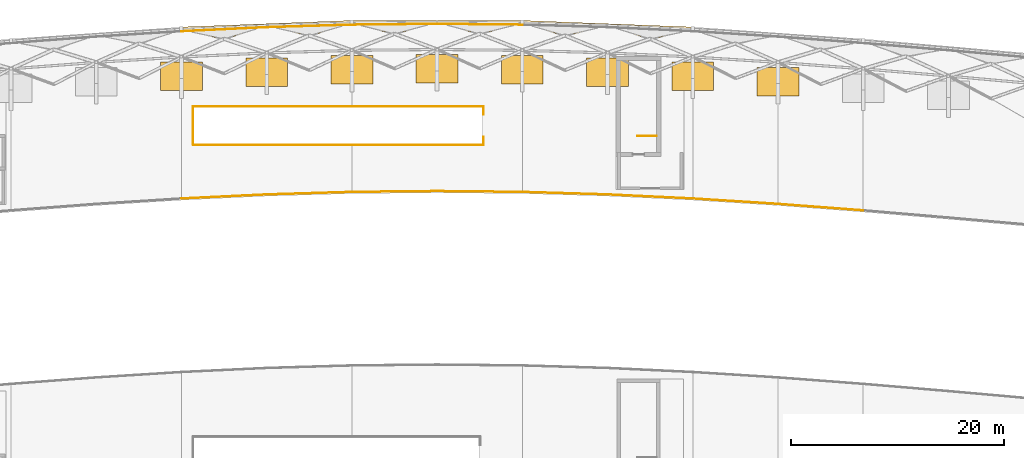
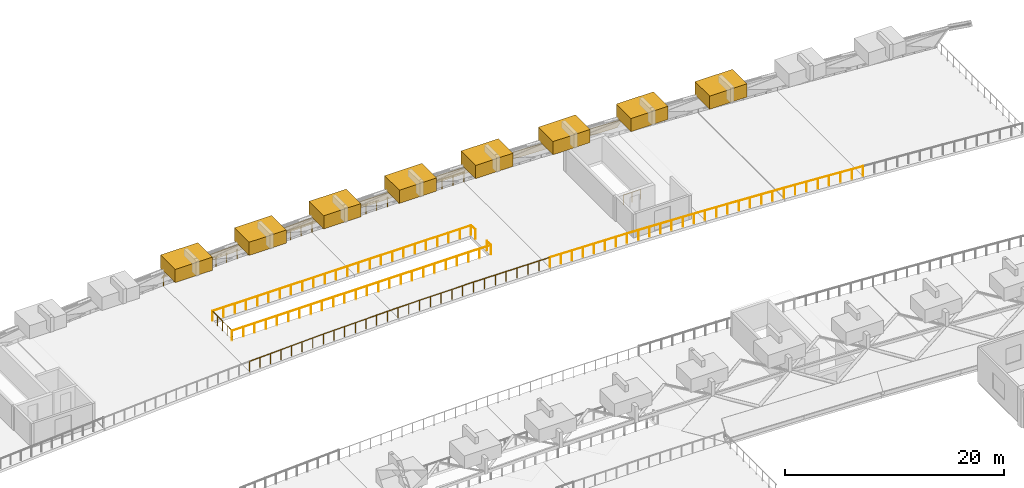
# One storey, part 63 of 67: 12 railings, 8 shading devices, 3 coverings.
"""IFC4 building model written with IfcOpenShell, lengths in metres."""

from ifc_helpers import new_model, si_unit, direction, frame, origin, origin_2d, place, context, subcontext, project, spatial, polyline, rectangle, circle, outline, extrude, material, layer, layer_set, type_object, element, save


model = new_model("IFC4")

# Units and contexts
model_context = context("Model", 3, precision=1e-05, world=origin(), true_north=direction((0.0, 1.0)))
body_context = subcontext(model_context, "Body", "Model", "MODEL_VIEW")
ifc_project = project(units=[si_unit("LENGTHUNIT", "METRE"), si_unit("AREAUNIT", "SQUARE_METRE"), si_unit("VOLUMEUNIT", "CUBIC_METRE"), si_unit("PLANEANGLEUNIT", "RADIAN"), si_unit("MASSUNIT", "GRAM", prefix="KILO")], contexts=[model_context])

# Site, building, storey
site_placement = place(None, origin())
site = spatial("IfcSite", under=ifc_project, at=site_placement, CompositionType="ELEMENT")
building_placement = place(site_placement, origin())
building = spatial("IfcBuilding", under=site, at=building_placement, Name="Kenh Van Central Station", CompositionType="ELEMENT")
storey_placement = place(building_placement, frame((0.0, 0.0, 10.800048828125)))
storey = spatial("IfcBuildingStorey", under=building, at=storey_placement, Name="L02", CompositionType="ELEMENT", Elevation=10.800048828125)

# Coverings
ifc_material_1 = material(Name="Standing-seam zinc-aluminium roofing", Category="aluminium")
ifc_layer = layer(ifc_material_1, 0.044921875, Name="Standing-seam zinc-aluminium roofing")
ifc_layer_set = layer_set([ifc_layer], Name="Standing-seam zinc-aluminium roofing")
covering_type = type_object("IfcCoveringType", Name="COV-ROOF-SEAM", PredefinedType="ROOFING", material=ifc_layer_set)
covering_1_placement = place(storey_placement, frame((64.0, 113.706298828125, 2.193603515625), z_axis=(-0.032086662011, 0.830830296946, 0.555600093411), x_axis=(0.999255081172, 0.038591226356, 0.0)))
element("IfcCovering", 1, at=covering_1_placement, inside=storey, type_object=covering_type, Name="Train shed springing curb roofing N3", PredefinedType="ROOFING", context=body_context, shape_type="SweptSolid", body=[
    extrude(outline(polyline([(0.0, 0.0), (16.0119275863292, -1.1102230246251565e-16), (16.052666957120707, 1.8986276117923722), (0.040739370791508266, 1.8986276117923722), (0.0, 0.0)])), origin(), (0.0, 0.0, -1.0), 0.044921875),
])
covering_2_placement = place(storey_placement, frame((80.0, 114.32421875, 2.193603515625), z_axis=(0.0, 0.831258319756, 0.555886324563), x_axis=(1.0, 0.0, 0.0)))
element("IfcCovering", 2, at=covering_2_placement, inside=storey, type_object=covering_type, Name="Train shed springing curb roofing N4", PredefinedType="ROOFING", context=body_context, shape_type="SweptSolid", body=[
    extrude(outline(polyline([(0.0, 0.0), (16.0, 0.0), (16.0, 1.899064639393008), (0.0, 1.899064639393008), (0.0, 0.0)])), origin(), (0.0, 0.0, -1.0), 0.044921875),
])
covering_3_placement = place(storey_placement, frame((96.0, 114.32421875, 2.193603515625), z_axis=(0.032086662011, 0.830830296946, 0.555600093411), x_axis=(0.999255081172, -0.038591226356, 0.0)))
element("IfcCovering", 3, at=covering_3_placement, inside=storey, type_object=covering_type, Name="Train shed springing curb roofing N5", PredefinedType="ROOFING", context=body_context, shape_type="SweptSolid", body=[
    extrude(outline(polyline([(0.0, 0.0), (16.0119275863292, 1.1102230246251565e-16), (15.97118821553769, 1.8986276117923724), (-0.040739370791508266, 1.8986276117923722), (0.0, 0.0)])), origin(), (0.0, 0.0, -1.0), 0.044921875),
])

# Railings
ifc_material_2 = material(Name="Champagne anodised aluminium", Category="aluminium")
railing_type_1 = type_object("IfcRailingType", Name="RAIL-CORE-GRD110", PredefinedType="GUARDRAIL", material=ifc_material_2)
railing_1_placement = place(storey_placement, frame((108.60009765625, 104.550048828125, 0.0)))
element("IfcRailing", 4, at=railing_1_placement, inside=storey, type_object=railing_type_1, Name="L02 ST-08 top well guard 1", PredefinedType="GUARDRAIL", context=body_context, shape_type="SweptSolid", body=[
    extrude(circle(Radius=0.02392578125, at=origin_2d()), frame((0.0, 0.0, 1.076171875), z_axis=(-1.0, 0.0, 0.0), x_axis=(0.0, -1.0, 0.0)), (0.0, 0.0, 1.0), 1.800048828125),
    extrude(circle(Radius=0.02099609375, at=origin_2d()), origin(), (0.0, 0.0, 1.0), 1.052001953125),
    extrude(circle(Radius=0.02099609375, at=origin_2d()), frame((-0.89990234375, 0.0, 0.0)), (0.0, 0.0, 1.0), 1.052001953125),
    extrude(circle(Radius=0.02099609375, at=origin_2d()), frame((-1.800048828125, 0.0, 0.0)), (0.0, 0.0, 1.0), 1.052001953125),
])
railing_type_2 = type_object("IfcRailingType", Name="RAIL-PUB-BAL112", PredefinedType="BALUSTRADE", material=ifc_material_2)
railing_2_placement = place(storey_placement, frame((65.10009765625, 103.699951171875, 0.0)))
element("IfcRailing", 5, at=railing_2_placement, inside=storey, type_object=railing_type_2, Name="L02 atrium void balustrade 21", PredefinedType="BALUSTRADE", context=body_context, shape_type="SweptSolid", body=[
    extrude(circle(Radius=0.02392578125, at=origin_2d()), frame((0.0, 0.0, 1.09619140625), z_axis=(1.0, 0.0, 0.0), x_axis=(0.0, 1.0, 0.0)), (0.0, 0.0, 1.0), 27.25),
    extrude(circle(Radius=0.02099609375, at=origin_2d()), origin(), (0.0, 0.0, 1.0), 1.072021484375),
    extrude(circle(Radius=0.02099609375, at=origin_2d()), frame((1.184814453125, 0.0, 0.0)), (0.0, 0.0, 1.0), 1.072021484375),
    extrude(circle(Radius=0.02099609375, at=origin_2d()), frame((2.36962890625, 0.0, 0.0)), (0.0, 0.0, 1.0), 1.072021484375),
    extrude(circle(Radius=0.02099609375, at=origin_2d()), frame((3.554443359375, 0.0, 0.0)), (0.0, 0.0, 1.0), 1.072021484375),
    extrude(circle(Radius=0.02099609375, at=origin_2d()), frame((4.739013671875, 0.0, 0.0)), (0.0, 0.0, 1.0), 1.072021484375),
    extrude(circle(Radius=0.02099609375, at=origin_2d()), frame((5.923828125, 0.0, 0.0)), (0.0, 0.0, 1.0), 1.072021484375),
    extrude(circle(Radius=0.02099609375, at=origin_2d()), frame((7.108642578125, 0.0, 0.0)), (0.0, 0.0, 1.0), 1.072021484375),
    extrude(circle(Radius=0.02099609375, at=origin_2d()), frame((8.29345703125, 0.0, 0.0)), (0.0, 0.0, 1.0), 1.072021484375),
    extrude(circle(Radius=0.02099609375, at=origin_2d()), frame((9.478271484375, 0.0, 0.0)), (0.0, 0.0, 1.0), 1.072021484375),
    extrude(circle(Radius=0.02099609375, at=origin_2d()), frame((10.6630859375, 0.0, 0.0)), (0.0, 0.0, 1.0), 1.072021484375),
    extrude(circle(Radius=0.02099609375, at=origin_2d()), frame((11.847900390625, 0.0, 0.0)), (0.0, 0.0, 1.0), 1.072021484375),
    extrude(circle(Radius=0.02099609375, at=origin_2d()), frame((13.03271484375, 0.0, 0.0)), (0.0, 0.0, 1.0), 1.072021484375),
    extrude(circle(Radius=0.02099609375, at=origin_2d()), frame((14.21728515625, 0.0, 0.0)), (0.0, 0.0, 1.0), 1.072021484375),
    extrude(circle(Radius=0.02099609375, at=origin_2d()), frame((15.402099609375, 0.0, 0.0)), (0.0, 0.0, 1.0), 1.072021484375),
    extrude(circle(Radius=0.02099609375, at=origin_2d()), frame((16.5869140625, 0.0, 0.0)), (0.0, 0.0, 1.0), 1.072021484375),
    extrude(circle(Radius=0.02099609375, at=origin_2d()), frame((17.771728515625, 0.0, 0.0)), (0.0, 0.0, 1.0), 1.072021484375),
    extrude(circle(Radius=0.02099609375, at=origin_2d()), frame((18.95654296875, 0.0, 0.0)), (0.0, 0.0, 1.0), 1.072021484375),
    extrude(circle(Radius=0.02099609375, at=origin_2d()), frame((20.141357421875, 0.0, 0.0)), (0.0, 0.0, 1.0), 1.072021484375),
    extrude(circle(Radius=0.02099609375, at=origin_2d()), frame((21.326171875, 0.0, 0.0)), (0.0, 0.0, 1.0), 1.072021484375),
    extrude(circle(Radius=0.02099609375, at=origin_2d()), frame((22.510986328125, 0.0, 0.0)), (0.0, 0.0, 1.0), 1.072021484375),
    extrude(circle(Radius=0.02099609375, at=origin_2d()), frame((23.695556640625, 0.0, 0.0)), (0.0, 0.0, 1.0), 1.072021484375),
    extrude(circle(Radius=0.02099609375, at=origin_2d()), frame((24.88037109375, 0.0, 0.0)), (0.0, 0.0, 1.0), 1.072021484375),
    extrude(circle(Radius=0.02099609375, at=origin_2d()), frame((26.065185546875, 0.0, 0.0)), (0.0, 0.0, 1.0), 1.072021484375),
    extrude(circle(Radius=0.02099609375, at=origin_2d()), frame((27.25, 0.0, 0.0)), (0.0, 0.0, 1.0), 1.072021484375),
])
railing_3_placement = place(storey_placement, frame((65.10009765625, 107.300048828125, 0.0)))
element("IfcRailing", 6, at=railing_3_placement, inside=storey, type_object=railing_type_2, Name="L02 atrium void balustrade 22", PredefinedType="BALUSTRADE", context=body_context, shape_type="SweptSolid", body=[
    extrude(circle(Radius=0.02392578125, at=origin_2d()), frame((0.0, 0.0, 1.09619140625), z_axis=(1.0, 0.0, 0.0), x_axis=(0.0, 1.0, 0.0)), (0.0, 0.0, 1.0), 27.25),
    extrude(circle(Radius=0.02099609375, at=origin_2d()), origin(), (0.0, 0.0, 1.0), 1.072021484375),
    extrude(circle(Radius=0.02099609375, at=origin_2d()), frame((1.184814453125, 0.0, 0.0)), (0.0, 0.0, 1.0), 1.072021484375),
    extrude(circle(Radius=0.02099609375, at=origin_2d()), frame((2.36962890625, 0.0, 0.0)), (0.0, 0.0, 1.0), 1.072021484375),
    extrude(circle(Radius=0.02099609375, at=origin_2d()), frame((3.554443359375, 0.0, 0.0)), (0.0, 0.0, 1.0), 1.072021484375),
    extrude(circle(Radius=0.02099609375, at=origin_2d()), frame((4.739013671875, 0.0, 0.0)), (0.0, 0.0, 1.0), 1.072021484375),
    extrude(circle(Radius=0.02099609375, at=origin_2d()), frame((5.923828125, 0.0, 0.0)), (0.0, 0.0, 1.0), 1.072021484375),
    extrude(circle(Radius=0.02099609375, at=origin_2d()), frame((7.108642578125, 0.0, 0.0)), (0.0, 0.0, 1.0), 1.072021484375),
    extrude(circle(Radius=0.02099609375, at=origin_2d()), frame((8.29345703125, 0.0, 0.0)), (0.0, 0.0, 1.0), 1.072021484375),
    extrude(circle(Radius=0.02099609375, at=origin_2d()), frame((9.478271484375, 0.0, 0.0)), (0.0, 0.0, 1.0), 1.072021484375),
    extrude(circle(Radius=0.02099609375, at=origin_2d()), frame((10.6630859375, 0.0, 0.0)), (0.0, 0.0, 1.0), 1.072021484375),
    extrude(circle(Radius=0.02099609375, at=origin_2d()), frame((11.847900390625, 0.0, 0.0)), (0.0, 0.0, 1.0), 1.072021484375),
    extrude(circle(Radius=0.02099609375, at=origin_2d()), frame((13.03271484375, 0.0, 0.0)), (0.0, 0.0, 1.0), 1.072021484375),
    extrude(circle(Radius=0.02099609375, at=origin_2d()), frame((14.21728515625, 0.0, 0.0)), (0.0, 0.0, 1.0), 1.072021484375),
    extrude(circle(Radius=0.02099609375, at=origin_2d()), frame((15.402099609375, 0.0, 0.0)), (0.0, 0.0, 1.0), 1.072021484375),
    extrude(circle(Radius=0.02099609375, at=origin_2d()), frame((16.5869140625, 0.0, 0.0)), (0.0, 0.0, 1.0), 1.072021484375),
    extrude(circle(Radius=0.02099609375, at=origin_2d()), frame((17.771728515625, 0.0, 0.0)), (0.0, 0.0, 1.0), 1.072021484375),
    extrude(circle(Radius=0.02099609375, at=origin_2d()), frame((18.95654296875, 0.0, 0.0)), (0.0, 0.0, 1.0), 1.072021484375),
    extrude(circle(Radius=0.02099609375, at=origin_2d()), frame((20.141357421875, 0.0, 0.0)), (0.0, 0.0, 1.0), 1.072021484375),
    extrude(circle(Radius=0.02099609375, at=origin_2d()), frame((21.326171875, 0.0, 0.0)), (0.0, 0.0, 1.0), 1.072021484375),
    extrude(circle(Radius=0.02099609375, at=origin_2d()), frame((22.510986328125, 0.0, 0.0)), (0.0, 0.0, 1.0), 1.072021484375),
    extrude(circle(Radius=0.02099609375, at=origin_2d()), frame((23.695556640625, 0.0, 0.0)), (0.0, 0.0, 1.0), 1.072021484375),
    extrude(circle(Radius=0.02099609375, at=origin_2d()), frame((24.88037109375, 0.0, 0.0)), (0.0, 0.0, 1.0), 1.072021484375),
    extrude(circle(Radius=0.02099609375, at=origin_2d()), frame((26.065185546875, 0.0, 0.0)), (0.0, 0.0, 1.0), 1.072021484375),
    extrude(circle(Radius=0.02099609375, at=origin_2d()), frame((27.25, 0.0, 0.0)), (0.0, 0.0, 1.0), 1.072021484375),
])
railing_4_placement = place(storey_placement, frame((65.10009765625, 103.699951171875, 0.0)))
element("IfcRailing", 7, at=railing_4_placement, inside=storey, type_object=railing_type_2, Name="L02 atrium void balustrade 23", PredefinedType="BALUSTRADE", context=body_context, shape_type="SweptSolid", body=[
    extrude(circle(Radius=0.02392578125, at=origin_2d()), frame((0.0, 0.0, 1.09619140625), z_axis=(0.0, 1.0, 0.0), x_axis=(-1.0, 0.0, 0.0)), (0.0, 0.0, 1.0), 3.60009765625),
    extrude(circle(Radius=0.02099609375, at=origin_2d()), origin(), (0.0, 0.0, 1.0), 1.072021484375),
    extrude(circle(Radius=0.02099609375, at=origin_2d()), frame((0.0, 0.89990234375, 0.0)), (0.0, 0.0, 1.0), 1.072021484375),
    extrude(circle(Radius=0.02099609375, at=origin_2d()), frame((0.0, 1.800048828125, 0.0)), (0.0, 0.0, 1.0), 1.072021484375),
    extrude(circle(Radius=0.02099609375, at=origin_2d()), frame((0.0, 2.7001953125, 0.0)), (0.0, 0.0, 1.0), 1.072021484375),
    extrude(circle(Radius=0.02099609375, at=origin_2d()), frame((0.0, 3.60009765625, 0.0)), (0.0, 0.0, 1.0), 1.072021484375),
])
for number, where, name in (
    (8, (92.35009765625, 103.699951171875, 0.0), "L02 atrium void balustrade 24"),
    (9, (92.35009765625, 106.550048828125, 0.0), "L02 atrium void balustrade 25"),
):
    element("IfcRailing", number, at=place(storey_placement, frame(where)), inside=storey, type_object=railing_type_2, Name=name, PredefinedType="BALUSTRADE", context=body_context, shape_type="SweptSolid", body=[
        extrude(circle(Radius=0.02392578125, at=origin_2d()), frame((0.0, 0.0, 1.09619140625), z_axis=(0.0, 1.0, 0.0), x_axis=(-1.0, 0.0, 0.0)), (0.0, 0.0, 1.0), 0.75),
        extrude(circle(Radius=0.02099609375, at=origin_2d()), origin(), (0.0, 0.0, 1.0), 1.072021484375),
        extrude(circle(Radius=0.02099609375, at=origin_2d()), frame((0.0, 0.75, 0.0)), (0.0, 0.0, 1.0), 1.072021484375),
    ])
railing_type_3 = type_object("IfcRailingType", Name="RAIL-TERR-GRD115", PredefinedType="GUARDRAIL", material=ifc_material_2)
railing_5_placement = place(storey_placement, frame((64.0, 98.65185546875, 0.0)))
element("IfcRailing", 10, at=railing_5_placement, inside=storey, type_object=railing_type_3, Name="L02 platform perimeter guardrail 17", PredefinedType="GUARDRAIL", context=body_context, shape_type="SweptSolid", body=[
    extrude(circle(Radius=0.02392578125, at=origin_2d()), frame((0.0, 0.0, 1.1259765625), z_axis=(0.998865791667, 0.04761439107, 0.0), x_axis=(-0.04761439107, 0.998865791667, 0.0)), (0.0, 0.0, 1.0), 8.009033203125),
    extrude(circle(Radius=0.02392578125, at=origin_2d()), frame((8.0, 0.38134765625, 1.1259765625), z_axis=(0.999563048769, 0.029558611885, 0.0), x_axis=(-0.029558611885, 0.999563048769, 0.0)), (0.0, 0.0, 1.0), 8.00341796875),
    extrude(circle(Radius=0.02099609375, at=origin_2d()), origin(), (0.0, 0.0, 1.0), 1.101806640625),
    extrude(circle(Radius=0.02099609375, at=origin_2d()), frame((1.142822265625, 0.054443359375, 0.0)), (0.0, 0.0, 1.0), 1.101806640625),
    extrude(circle(Radius=0.02099609375, at=origin_2d()), frame((2.28564453125, 0.10888671875, 0.0)), (0.0, 0.0, 1.0), 1.101806640625),
    extrude(circle(Radius=0.02099609375, at=origin_2d()), frame((3.428466796875, 0.163330078125, 0.0)), (0.0, 0.0, 1.0), 1.101806640625),
    extrude(circle(Radius=0.02099609375, at=origin_2d()), frame((4.571533203125, 0.218017578125, 0.0)), (0.0, 0.0, 1.0), 1.101806640625),
    extrude(circle(Radius=0.02099609375, at=origin_2d()), frame((5.71435546875, 0.2724609375, 0.0)), (0.0, 0.0, 1.0), 1.101806640625),
    extrude(circle(Radius=0.02099609375, at=origin_2d()), frame((6.857177734375, 0.326904296875, 0.0)), (0.0, 0.0, 1.0), 1.101806640625),
    extrude(circle(Radius=0.02099609375, at=origin_2d()), frame((8.0, 0.38134765625, 0.0)), (0.0, 0.0, 1.0), 1.101806640625),
    extrude(circle(Radius=0.02099609375, at=origin_2d()), frame((9.142822265625, 0.4150390625, 0.0)), (0.0, 0.0, 1.0), 1.101806640625),
    extrude(circle(Radius=0.02099609375, at=origin_2d()), frame((10.28564453125, 0.448974609375, 0.0)), (0.0, 0.0, 1.0), 1.101806640625),
    extrude(circle(Radius=0.02099609375, at=origin_2d()), frame((11.428466796875, 0.482666015625, 0.0)), (0.0, 0.0, 1.0), 1.101806640625),
    extrude(circle(Radius=0.02099609375, at=origin_2d()), frame((12.571533203125, 0.5166015625, 0.0)), (0.0, 0.0, 1.0), 1.101806640625),
    extrude(circle(Radius=0.02099609375, at=origin_2d()), frame((13.71435546875, 0.55029296875, 0.0)), (0.0, 0.0, 1.0), 1.101806640625),
    extrude(circle(Radius=0.02099609375, at=origin_2d()), frame((14.857177734375, 0.584228515625, 0.0)), (0.0, 0.0, 1.0), 1.101806640625),
    extrude(circle(Radius=0.02099609375, at=origin_2d()), frame((16.0, 0.617919921875, 0.0)), (0.0, 0.0, 1.0), 1.101806640625),
])
railing_6_placement = place(storey_placement, frame((80.0, 99.269775390625, 0.0)))
element("IfcRailing", 11, at=railing_6_placement, inside=storey, type_object=railing_type_3, Name="L02 platform perimeter guardrail 18", PredefinedType="GUARDRAIL", context=body_context, shape_type="SweptSolid", body=[
    extrude(circle(Radius=0.02392578125, at=origin_2d()), frame((0.0, 0.0, 1.1259765625), z_axis=(0.999949600167, 0.010039777175, 0.0), x_axis=(-0.010039777175, 0.999949600167, 0.0)), (0.0, 0.0, 1.0), 8.00048828125),
    extrude(circle(Radius=0.02392578125, at=origin_2d()), frame((8.0, 0.080322265625, 1.1259765625), z_axis=(0.999949600167, -0.010039777175, 0.0), x_axis=(0.010039777175, 0.999949600167, 0.0)), (0.0, 0.0, 1.0), 8.00048828125),
    extrude(circle(Radius=0.02099609375, at=origin_2d()), origin(), (0.0, 0.0, 1.0), 1.101806640625),
    extrude(circle(Radius=0.02099609375, at=origin_2d()), frame((1.142822265625, 0.011474609375, 0.0)), (0.0, 0.0, 1.0), 1.101806640625),
    extrude(circle(Radius=0.02099609375, at=origin_2d()), frame((2.28564453125, 0.02294921875, 0.0)), (0.0, 0.0, 1.0), 1.101806640625),
    extrude(circle(Radius=0.02099609375, at=origin_2d()), frame((3.428466796875, 0.034423828125, 0.0)), (0.0, 0.0, 1.0), 1.101806640625),
    extrude(circle(Radius=0.02099609375, at=origin_2d()), frame((4.571533203125, 0.0458984375, 0.0)), (0.0, 0.0, 1.0), 1.101806640625),
    extrude(circle(Radius=0.02099609375, at=origin_2d()), frame((5.71435546875, 0.057373046875, 0.0)), (0.0, 0.0, 1.0), 1.101806640625),
    extrude(circle(Radius=0.02099609375, at=origin_2d()), frame((6.857177734375, 0.06884765625, 0.0)), (0.0, 0.0, 1.0), 1.101806640625),
    extrude(circle(Radius=0.02099609375, at=origin_2d()), frame((8.0, 0.080322265625, 0.0)), (0.0, 0.0, 1.0), 1.101806640625),
    extrude(circle(Radius=0.02099609375, at=origin_2d()), frame((9.142822265625, 0.06884765625, 0.0)), (0.0, 0.0, 1.0), 1.101806640625),
    extrude(circle(Radius=0.02099609375, at=origin_2d()), frame((10.28564453125, 0.057373046875, 0.0)), (0.0, 0.0, 1.0), 1.101806640625),
    extrude(circle(Radius=0.02099609375, at=origin_2d()), frame((11.428466796875, 0.0458984375, 0.0)), (0.0, 0.0, 1.0), 1.101806640625),
    extrude(circle(Radius=0.02099609375, at=origin_2d()), frame((12.571533203125, 0.034423828125, 0.0)), (0.0, 0.0, 1.0), 1.101806640625),
    extrude(circle(Radius=0.02099609375, at=origin_2d()), frame((13.71435546875, 0.02294921875, 0.0)), (0.0, 0.0, 1.0), 1.101806640625),
    extrude(circle(Radius=0.02099609375, at=origin_2d()), frame((14.857177734375, 0.011474609375, 0.0)), (0.0, 0.0, 1.0), 1.101806640625),
    extrude(circle(Radius=0.02099609375, at=origin_2d()), frame((16.0, 0.0, 0.0)), (0.0, 0.0, 1.0), 1.101806640625),
])
railing_7_placement = place(storey_placement, frame((96.0, 99.269775390625, 0.0)))
element("IfcRailing", 12, at=railing_7_placement, inside=storey, type_object=railing_type_3, Name="L02 platform perimeter guardrail 19", PredefinedType="GUARDRAIL", context=body_context, shape_type="SweptSolid", body=[
    extrude(circle(Radius=0.02392578125, at=origin_2d()), frame((0.0, 0.0, 1.1259765625), z_axis=(0.999563048769, -0.029558611885, 0.0), x_axis=(0.029558611885, 0.999563048769, 0.0)), (0.0, 0.0, 1.0), 8.00341796875),
    extrude(circle(Radius=0.02392578125, at=origin_2d()), frame((8.0, -0.236572265625, 1.1259765625), z_axis=(0.998865791667, -0.04761439107, 0.0), x_axis=(0.04761439107, 0.998865791667, 0.0)), (0.0, 0.0, 1.0), 8.009033203125),
    extrude(circle(Radius=0.02099609375, at=origin_2d()), origin(), (0.0, 0.0, 1.0), 1.101806640625),
    extrude(circle(Radius=0.02099609375, at=origin_2d()), frame((1.142822265625, -0.03369140625, 0.0)), (0.0, 0.0, 1.0), 1.101806640625),
    extrude(circle(Radius=0.02099609375, at=origin_2d()), frame((2.28564453125, -0.067626953125, 0.0)), (0.0, 0.0, 1.0), 1.101806640625),
    extrude(circle(Radius=0.02099609375, at=origin_2d()), frame((3.428466796875, -0.101318359375, 0.0)), (0.0, 0.0, 1.0), 1.101806640625),
    extrude(circle(Radius=0.02099609375, at=origin_2d()), frame((4.571533203125, -0.13525390625, 0.0)), (0.0, 0.0, 1.0), 1.101806640625),
    extrude(circle(Radius=0.02099609375, at=origin_2d()), frame((5.71435546875, -0.1689453125, 0.0)), (0.0, 0.0, 1.0), 1.101806640625),
    extrude(circle(Radius=0.02099609375, at=origin_2d()), frame((6.857177734375, -0.202880859375, 0.0)), (0.0, 0.0, 1.0), 1.101806640625),
    extrude(circle(Radius=0.02099609375, at=origin_2d()), frame((8.0, -0.236572265625, 0.0)), (0.0, 0.0, 1.0), 1.101806640625),
    extrude(circle(Radius=0.02099609375, at=origin_2d()), frame((9.142822265625, -0.291015625, 0.0)), (0.0, 0.0, 1.0), 1.101806640625),
    extrude(circle(Radius=0.02099609375, at=origin_2d()), frame((10.28564453125, -0.345458984375, 0.0)), (0.0, 0.0, 1.0), 1.101806640625),
    extrude(circle(Radius=0.02099609375, at=origin_2d()), frame((11.428466796875, -0.39990234375, 0.0)), (0.0, 0.0, 1.0), 1.101806640625),
    extrude(circle(Radius=0.02099609375, at=origin_2d()), frame((12.571533203125, -0.45458984375, 0.0)), (0.0, 0.0, 1.0), 1.101806640625),
    extrude(circle(Radius=0.02099609375, at=origin_2d()), frame((13.71435546875, -0.509033203125, 0.0)), (0.0, 0.0, 1.0), 1.101806640625),
    extrude(circle(Radius=0.02099609375, at=origin_2d()), frame((14.857177734375, -0.5634765625, 0.0)), (0.0, 0.0, 1.0), 1.101806640625),
    extrude(circle(Radius=0.02099609375, at=origin_2d()), frame((16.0, -0.617919921875, 0.0)), (0.0, 0.0, 1.0), 1.101806640625),
])
railing_8_placement = place(storey_placement, frame((112.0, 98.65185546875, 0.0)))
element("IfcRailing", 13, at=railing_8_placement, inside=storey, type_object=railing_type_3, Name="L02 platform perimeter guardrail 20", PredefinedType="GUARDRAIL", context=body_context, shape_type="SweptSolid", body=[
    extrude(circle(Radius=0.02392578125, at=origin_2d()), frame((0.0, 0.0, 1.1259765625), z_axis=(0.998001046855, -0.063197392951, 0.0), x_axis=(0.063197392951, 0.998001046855, 0.0)), (0.0, 0.0, 1.0), 8.01611328125),
    extrude(circle(Radius=0.02392578125, at=origin_2d()), frame((8.0, -0.506591796875, 1.1259765625), z_axis=(0.997134485958, -0.075649302127, 0.0), x_axis=(0.075649302127, 0.997134485958, 0.0)), (0.0, 0.0, 1.0), 8.02294921875),
    extrude(circle(Radius=0.02099609375, at=origin_2d()), origin(), (0.0, 0.0, 1.0), 1.101806640625),
    extrude(circle(Radius=0.02099609375, at=origin_2d()), frame((1.142822265625, -0.072265625, 0.0)), (0.0, 0.0, 1.0), 1.101806640625),
    extrude(circle(Radius=0.02099609375, at=origin_2d()), frame((2.28564453125, -0.144775390625, 0.0)), (0.0, 0.0, 1.0), 1.101806640625),
    extrude(circle(Radius=0.02099609375, at=origin_2d()), frame((3.428466796875, -0.217041015625, 0.0)), (0.0, 0.0, 1.0), 1.101806640625),
    extrude(circle(Radius=0.02099609375, at=origin_2d()), frame((4.571533203125, -0.28955078125, 0.0)), (0.0, 0.0, 1.0), 1.101806640625),
    extrude(circle(Radius=0.02099609375, at=origin_2d()), frame((5.71435546875, -0.36181640625, 0.0)), (0.0, 0.0, 1.0), 1.101806640625),
    extrude(circle(Radius=0.02099609375, at=origin_2d()), frame((6.857177734375, -0.434326171875, 0.0)), (0.0, 0.0, 1.0), 1.101806640625),
    extrude(circle(Radius=0.02099609375, at=origin_2d()), frame((8.0, -0.506591796875, 0.0)), (0.0, 0.0, 1.0), 1.101806640625),
    extrude(circle(Radius=0.02099609375, at=origin_2d()), frame((9.142822265625, -0.59326171875, 0.0)), (0.0, 0.0, 1.0), 1.101806640625),
    extrude(circle(Radius=0.02099609375, at=origin_2d()), frame((10.28564453125, -0.679931640625, 0.0)), (0.0, 0.0, 1.0), 1.101806640625),
    extrude(circle(Radius=0.02099609375, at=origin_2d()), frame((11.428466796875, -0.7666015625, 0.0)), (0.0, 0.0, 1.0), 1.101806640625),
    extrude(circle(Radius=0.02099609375, at=origin_2d()), frame((12.571533203125, -0.853515625, 0.0)), (0.0, 0.0, 1.0), 1.101806640625),
    extrude(circle(Radius=0.02099609375, at=origin_2d()), frame((13.71435546875, -0.940185546875, 0.0)), (0.0, 0.0, 1.0), 1.101806640625),
    extrude(circle(Radius=0.02099609375, at=origin_2d()), frame((14.857177734375, -1.02685546875, 0.0)), (0.0, 0.0, 1.0), 1.101806640625),
    extrude(circle(Radius=0.02099609375, at=origin_2d()), frame((16.0, -1.113525390625, 0.0)), (0.0, 0.0, 1.0), 1.101806640625),
])
railing_9_placement = place(storey_placement, frame((64.0, 114.351806640625, 0.0)))
element("IfcRailing", 14, at=railing_9_placement, inside=storey, type_object=railing_type_3, Name="L02 platform perimeter guardrail 24", PredefinedType="GUARDRAIL", context=body_context, shape_type="SweptSolid", body=[
    extrude(circle(Radius=0.02392578125, at=origin_2d()), frame((0.0, 0.0, 1.1259765625), z_axis=(0.998865791667, 0.04761439107, 0.0), x_axis=(-0.04761439107, 0.998865791667, 0.0)), (0.0, 0.0, 1.0), 8.009033203125),
    extrude(circle(Radius=0.02392578125, at=origin_2d()), frame((8.0, 0.38134765625, 1.1259765625), z_axis=(0.999563048769, 0.029558611885, 0.0), x_axis=(-0.029558611885, 0.999563048769, 0.0)), (0.0, 0.0, 1.0), 8.00341796875),
    extrude(circle(Radius=0.02099609375, at=origin_2d()), origin(), (0.0, 0.0, 1.0), 1.101806640625),
    extrude(circle(Radius=0.02099609375, at=origin_2d()), frame((1.142822265625, 0.054443359375, 0.0)), (0.0, 0.0, 1.0), 1.101806640625),
    extrude(circle(Radius=0.02099609375, at=origin_2d()), frame((2.28564453125, 0.10888671875, 0.0)), (0.0, 0.0, 1.0), 1.101806640625),
    extrude(circle(Radius=0.02099609375, at=origin_2d()), frame((3.428466796875, 0.163330078125, 0.0)), (0.0, 0.0, 1.0), 1.101806640625),
    extrude(circle(Radius=0.02099609375, at=origin_2d()), frame((4.571533203125, 0.218017578125, 0.0)), (0.0, 0.0, 1.0), 1.101806640625),
    extrude(circle(Radius=0.02099609375, at=origin_2d()), frame((5.71435546875, 0.2724609375, 0.0)), (0.0, 0.0, 1.0), 1.101806640625),
    extrude(circle(Radius=0.02099609375, at=origin_2d()), frame((6.857177734375, 0.326904296875, 0.0)), (0.0, 0.0, 1.0), 1.101806640625),
    extrude(circle(Radius=0.02099609375, at=origin_2d()), frame((8.0, 0.38134765625, 0.0)), (0.0, 0.0, 1.0), 1.101806640625),
    extrude(circle(Radius=0.02099609375, at=origin_2d()), frame((9.142822265625, 0.4150390625, 0.0)), (0.0, 0.0, 1.0), 1.101806640625),
    extrude(circle(Radius=0.02099609375, at=origin_2d()), frame((10.28564453125, 0.448974609375, 0.0)), (0.0, 0.0, 1.0), 1.101806640625),
    extrude(circle(Radius=0.02099609375, at=origin_2d()), frame((11.428466796875, 0.482666015625, 0.0)), (0.0, 0.0, 1.0), 1.101806640625),
    extrude(circle(Radius=0.02099609375, at=origin_2d()), frame((12.571533203125, 0.5166015625, 0.0)), (0.0, 0.0, 1.0), 1.101806640625),
    extrude(circle(Radius=0.02099609375, at=origin_2d()), frame((13.71435546875, 0.55029296875, 0.0)), (0.0, 0.0, 1.0), 1.101806640625),
    extrude(circle(Radius=0.02099609375, at=origin_2d()), frame((14.857177734375, 0.584228515625, 0.0)), (0.0, 0.0, 1.0), 1.101806640625),
    extrude(circle(Radius=0.02099609375, at=origin_2d()), frame((16.0, 0.617919921875, 0.0)), (0.0, 0.0, 1.0), 1.101806640625),
])
railing_10_placement = place(storey_placement, frame((80.0, 114.9697265625, 0.0)))
element("IfcRailing", 15, at=railing_10_placement, inside=storey, type_object=railing_type_3, Name="L02 platform perimeter guardrail 25", PredefinedType="GUARDRAIL", context=body_context, shape_type="SweptSolid", body=[
    extrude(circle(Radius=0.02392578125, at=origin_2d()), frame((0.0, 0.0, 1.1259765625), z_axis=(0.999949600167, 0.010039777175, 0.0), x_axis=(-0.010039777175, 0.999949600167, 0.0)), (0.0, 0.0, 1.0), 8.00048828125),
    extrude(circle(Radius=0.02392578125, at=origin_2d()), frame((8.0, 0.080322265625, 1.1259765625), z_axis=(0.999949600167, -0.010039777175, 0.0), x_axis=(0.010039777175, 0.999949600167, 0.0)), (0.0, 0.0, 1.0), 8.00048828125),
    extrude(circle(Radius=0.02099609375, at=origin_2d()), origin(), (0.0, 0.0, 1.0), 1.101806640625),
    extrude(circle(Radius=0.02099609375, at=origin_2d()), frame((1.142822265625, 0.011474609375, 0.0)), (0.0, 0.0, 1.0), 1.101806640625),
    extrude(circle(Radius=0.02099609375, at=origin_2d()), frame((2.28564453125, 0.02294921875, 0.0)), (0.0, 0.0, 1.0), 1.101806640625),
    extrude(circle(Radius=0.02099609375, at=origin_2d()), frame((3.428466796875, 0.034423828125, 0.0)), (0.0, 0.0, 1.0), 1.101806640625),
    extrude(circle(Radius=0.02099609375, at=origin_2d()), frame((4.571533203125, 0.0458984375, 0.0)), (0.0, 0.0, 1.0), 1.101806640625),
    extrude(circle(Radius=0.02099609375, at=origin_2d()), frame((5.71435546875, 0.057373046875, 0.0)), (0.0, 0.0, 1.0), 1.101806640625),
    extrude(circle(Radius=0.02099609375, at=origin_2d()), frame((6.857177734375, 0.06884765625, 0.0)), (0.0, 0.0, 1.0), 1.101806640625),
    extrude(circle(Radius=0.02099609375, at=origin_2d()), frame((8.0, 0.080322265625, 0.0)), (0.0, 0.0, 1.0), 1.101806640625),
    extrude(circle(Radius=0.02099609375, at=origin_2d()), frame((9.142822265625, 0.06884765625, 0.0)), (0.0, 0.0, 1.0), 1.101806640625),
    extrude(circle(Radius=0.02099609375, at=origin_2d()), frame((10.28564453125, 0.057373046875, 0.0)), (0.0, 0.0, 1.0), 1.101806640625),
    extrude(circle(Radius=0.02099609375, at=origin_2d()), frame((11.428466796875, 0.0458984375, 0.0)), (0.0, 0.0, 1.0), 1.101806640625),
    extrude(circle(Radius=0.02099609375, at=origin_2d()), frame((12.571533203125, 0.034423828125, 0.0)), (0.0, 0.0, 1.0), 1.101806640625),
    extrude(circle(Radius=0.02099609375, at=origin_2d()), frame((13.71435546875, 0.02294921875, 0.0)), (0.0, 0.0, 1.0), 1.101806640625),
    extrude(circle(Radius=0.02099609375, at=origin_2d()), frame((14.857177734375, 0.011474609375, 0.0)), (0.0, 0.0, 1.0), 1.101806640625),
    extrude(circle(Radius=0.02099609375, at=origin_2d()), frame((16.0, 0.0, 0.0)), (0.0, 0.0, 1.0), 1.101806640625),
])

# Shading devices
shading_device_type = type_object("IfcShadingDeviceType", Name="SHD-LOUVRE-JAL", PredefinedType="JALOUSIE", material=ifc_material_2)
for number, where, z_axis, x_axis, name in (
    (16, (64.0, 110.12646484375, 4.421875), (0.0, 0.0, 1.0), (1.0, 0.0, 0.0), "Vault monsoon ventilation louvre 16"),
    (17, (72.0, 110.506591796875, 4.421875), (0.0, 0.0, 1.0), (1.0, 0.0, 0.0), "Vault monsoon ventilation louvre 21"),
    (18, (80.0, 110.742431640625, 4.421875), (0.0, 0.0, 1.0), (1.0, 0.0, 0.0), "Vault monsoon ventilation louvre 24"),
    (19, (88.0, 110.822509765625, 4.421875), (0.0, 0.0, 1.0), (1.0, 0.0, 0.0), "Vault monsoon ventilation louvre 29"),
    (20, (96.0, 110.742431640625, 4.421875), (0.0, 0.0, 1.0), (1.0, 0.0, 0.0), "Vault monsoon ventilation louvre 32"),
    (21, (104.0, 110.506591796875, 4.421875), (0.0, 0.0, 1.0), (1.0, 0.0, 0.0), "Vault monsoon ventilation louvre 37"),
    (22, (112.0, 110.12646484375, 4.421875), (0.0, 0.0, 1.0), (1.0, 0.0, 0.0), "Vault monsoon ventilation louvre 40"),
    (23, (120.0, 109.621337890625, 4.421875), (0.0, 0.0, 1.0), (1.0, 0.0, 0.0), "Vault monsoon ventilation louvre 45"),
):
    element("IfcShadingDevice", number, at=place(storey_placement, frame(where, z_axis=z_axis, x_axis=x_axis)), inside=storey, type_object=shading_device_type, Name=name, PredefinedType="JALOUSIE", context=body_context, shape_type="SweptSolid", body=[
        extrude(rectangle(XDim=3.919921875, YDim=2.67626953125, at=origin_2d()), origin(), (0.0, 0.0, 1.0), 1.466796875),
    ])

save(model, "model.ifc")
